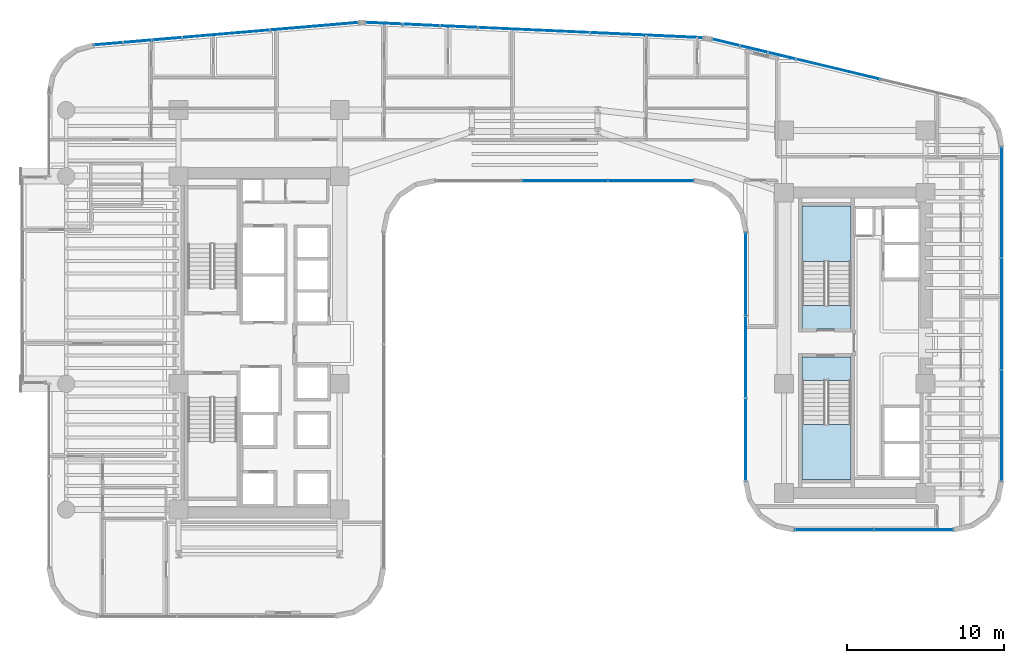
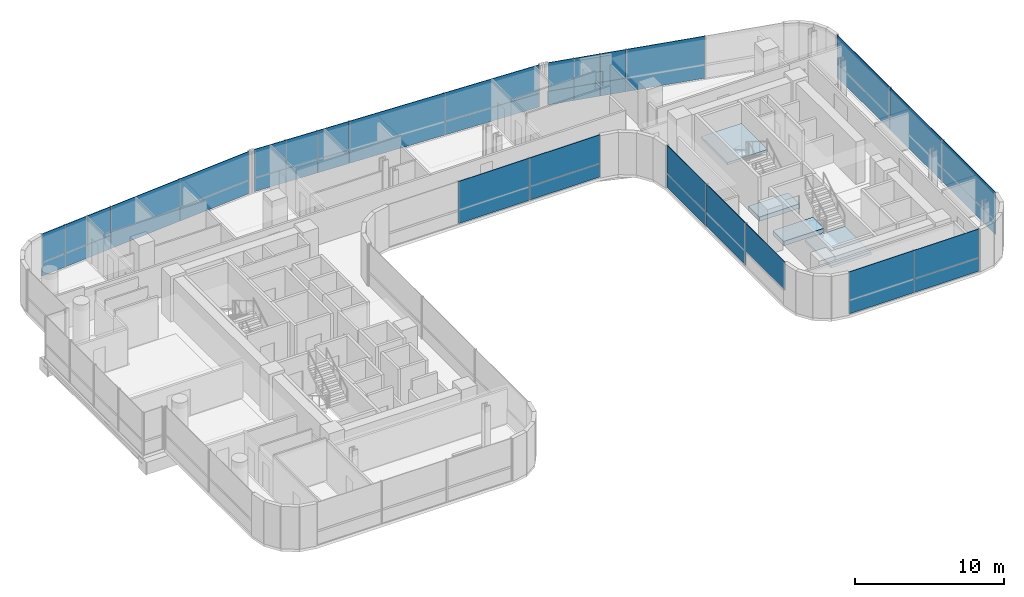
# One storey, part 25 of 35: 40 plates, 4 slabs, 9 elements without a shape of their own.
"""IFC4 building model written with IfcOpenShell, lengths in metres."""

from ifc_helpers import new_model, si_unit, direction, frame, origin, origin_2d, place, context, subcontext, project, spatial, polyline, rectangle, outline, extrude, source, transform, mapped, material, layer, layer_set, type_object, element, aggregate, save


model = new_model("IFC4")

# Units and contexts
model_context = context("Model", 3, precision=1e-05, world=origin(), true_north=direction((0.0, 1.0)))
body_context = subcontext(model_context, "Body", "Model", "MODEL_VIEW")
ifc_project = project(units=[si_unit("LENGTHUNIT", "METRE"), si_unit("AREAUNIT", "SQUARE_METRE"), si_unit("VOLUMEUNIT", "CUBIC_METRE"), si_unit("PLANEANGLEUNIT", "RADIAN"), si_unit("MASSUNIT", "GRAM", prefix="KILO")], contexts=[model_context])

# Site, building, storey
site_placement = place(None, origin())
site = spatial("IfcSite", under=ifc_project, at=site_placement, CompositionType="ELEMENT")
building_placement = place(site_placement, origin())
building = spatial("IfcBuilding", under=site, at=building_placement, Name="Valdorenza Pilgrim Sanctuary Tower", CompositionType="ELEMENT")
storey_placement = place(building_placement, frame((0.0, 0.0, 105.699951171875)))
storey = spatial("IfcBuildingStorey", under=building, at=storey_placement, Name="L26", CompositionType="ELEMENT", Elevation=105.699951171875)

# Stair, slab
ifc_material_1 = material(Name="Concrete C40/50", Category="concrete")
stair_type = type_object("IfcStairType", Name="STR-DOG-CORE", PredefinedType="HALF_TURN_STAIR", material=ifc_material_1)
stair_1_placement = place(storey_placement, origin())
stair_1 = element("IfcStair", 1, at=stair_1_placement, inside=storey, type_object=stair_type, Name="L26 ST-B1", PredefinedType="HALF_TURN_STAIR")
ifc_layer_1 = layer(ifc_material_1, 0.199951171875, Name="Concrete C40/50")
ifc_layer_set_1 = layer_set([ifc_layer_1], Name="Concrete C40/50")
slab_type_1 = type_object("IfcSlabType", Name="SLAB-STL-200", PredefinedType="LANDING", material=ifc_layer_set_1)
slab_1_placement = place(storey_placement, frame((0.0, 0.0, 1.650146484375)))
slab_1 = element("IfcSlab", 2, at=slab_1_placement, type_object=slab_type_1, Name="ST-B1 landing 1", PredefinedType="LANDING", context=body_context, shape_type="SweptSolid", body=[
    extrude(outline(polyline([(20.110107421875, 5.179931640625), (20.110107421875, 8.699951171875), (17.0, 8.699951171875), (17.0, 5.179931640625), (20.110107421875, 5.179931640625)])), origin(), (0.0, 0.0, 1.0), 0.199951171875),
])
aggregate(stair_1, [slab_1])

stair_2_placement = place(storey_placement, origin())
stair_2 = element("IfcStair", 3, at=stair_2_placement, inside=storey, type_object=stair_type, Name="L26 ST-B2", PredefinedType="HALF_TURN_STAIR")
slab_2_placement = place(storey_placement, frame((0.0, 0.0, 1.650146484375)))
slab_2 = element("IfcSlab", 4, at=slab_2_placement, type_object=slab_type_1, Name="ST-B2 landing 1", PredefinedType="LANDING", context=body_context, shape_type="SweptSolid", body=[
    extrude(outline(polyline([(17.0, -5.179931640625), (17.0, -8.699951171875), (20.110107421875, -8.699951171875), (20.110107421875, -5.179931640625), (17.0, -5.179931640625)])), origin(), (0.0, 0.0, 1.0), 0.199951171875),
])
aggregate(stair_2, [slab_2])

# Slabs
ifc_material_2 = material(Name="Concrete C50/60", Category="concrete")
ifc_layer_2 = layer(ifc_material_2, 0.39990234375, Name="Concrete C50/60")
ifc_layer_set_2 = layer_set([ifc_layer_2], Name="Concrete C50/60")
slab_type_2 = type_object("IfcSlabType", Name="SLAB-TRF-400", PredefinedType="FLOOR", material=ifc_layer_set_2)
slab_3_placement = place(storey_placement, frame((0.0, 0.0, -0.35986328125)))
element("IfcSlab", 5, at=slab_3_placement, inside=storey, type_object=slab_type_2, Name="L26 ST-B1 Structural Stair Landing Bearing Slab", PredefinedType="FLOOR", context=body_context, shape_type="SweptSolid", body=[
    extrude(outline(polyline([(17.0, 0.89990234375), (20.110107421875, 0.89990234375), (20.110107421875, 2.385009765625), (17.0, 2.385009765625), (17.0, 0.89990234375)])), origin(), (0.0, 0.0, 1.0), 0.35986328125),
])
slab_4_placement = place(storey_placement, frame((0.0, 0.0, -0.35986328125)))
element("IfcSlab", 6, at=slab_4_placement, inside=storey, type_object=slab_type_2, Name="L26 ST-B2 Structural Stair Landing Bearing Slab", PredefinedType="FLOOR", context=body_context, shape_type="SweptSolid", body=[
    extrude(outline(polyline([(17.0, -2.385009765625), (20.110107421875, -2.385009765625), (20.110107421875, -0.89990234375), (17.0, -0.89990234375), (17.0, -2.385009765625)])), origin(), (0.0, 0.0, 1.0), 0.35986328125),
])

# Curtain wall, plates
ifc_material_3 = material(Name="Curtain-wall IGU glazing", Category="glass")
curtain_wall_type_1 = type_object("IfcCurtainWallType", Name="CW-SYS-02", PredefinedType="NOTDEFINED", material=ifc_material_3)
curtain_wall_1_placement = place(storey_placement, origin())
curtain_wall_1 = element("IfcCurtainWall", 7, at=curtain_wall_1_placement, inside=storey, type_object=curtain_wall_type_1, Name="L26 Curtain Wall CW-L26-1-36", PredefinedType="NOTDEFINED")
ifc_material_4 = material(Name="Honed travertine limestone", Category="masonry")
ifc_layer_3 = layer(ifc_material_4, 0.050048828125, Name="Honed travertine limestone")
ifc_layer_set_3 = layer_set([ifc_layer_3], Name="Honed travertine limestone")
plate_type_1 = type_object("IfcPlateType", Name="CW-SPN-TRV", PredefinedType="USERDEFINED", material=ifc_layer_set_3)
shared_shape_1 = source(origin(), body_context, "Body", "SweptSolid", [
    extrude(rectangle(XDim=5.453857421875, YDim=0.06005859375, at=origin_2d()), origin(), (0.0, 0.0, 1.0), 1.10009765625),
])
plate_1_placement = place(storey_placement, frame((7.373779296875, 10.31005859375, 0.010009765625), z_axis=(0.0, 0.0, 1.0), x_axis=(-1.0, 0.0, 0.0)))
plate_1 = element("IfcPlate", 8, at=plate_1_placement, type_object=plate_type_1, Name="CW-L26-1-36 Travertine Spandrel 1", ObjectType="SPANDREL", PredefinedType="USERDEFINED", context=body_context, shape_type="MappedRepresentation", body=[
    mapped(shared_shape_1, transform((0.0, 0.0, 0.0), x_axis=(1.0, 0.0, 0.0), y_axis=(0.0, 1.0, 0.0), z_axis=(0.0, 0.0, 1.0), scale=1.0)),
])
ifc_material_5 = material(Name="Ceramic-fritted low-E IGU glazing", Category="glass")
ifc_layer_4 = layer(ifc_material_5, 0.035888671875, Name="Ceramic-fritted low-E IGU glazing")
ifc_layer_set_4 = layer_set([ifc_layer_4], Name="Ceramic-fritted low-E IGU glazing")
plate_type_2 = type_object("IfcPlateType", Name="CW-GLZ-IGU", PredefinedType="USERDEFINED", material=ifc_layer_set_4)
shared_shape_2 = source(origin(), body_context, "Body", "SweptSolid", [
    extrude(rectangle(XDim=5.453857421875, YDim=0.050048828125, at=origin_2d()), origin(), (0.0, 0.0, 1.0), 2.320068359375),
])
plate_2_placement = place(storey_placement, frame((7.373779296875, 10.31005859375, 1.1298828125), z_axis=(0.0, 0.0, 1.0), x_axis=(-1.0, 0.0, 0.0)))
plate_2 = element("IfcPlate", 9, at=plate_2_placement, type_object=plate_type_2, Name="CW-L26-1-36 Facade Panel 1", ObjectType="GLAZING", PredefinedType="USERDEFINED", context=body_context, shape_type="MappedRepresentation", body=[
    mapped(shared_shape_2, transform((0.0, 0.0, 0.0), x_axis=(1.0, 0.0, 0.0), y_axis=(0.0, 1.0, 0.0), z_axis=(0.0, 0.0, 1.0), scale=1.0)),
])
shared_shape_3 = source(origin(), body_context, "Body", "SweptSolid", [
    extrude(rectangle(XDim=5.453857421875, YDim=0.050048828125, at=origin_2d()), origin(), (0.0, 0.0, 1.0), 3.43994140625),
])
plate_3_placement = place(storey_placement, frame((1.89990234375, 10.31005859375, 0.010009765625), z_axis=(0.0, 0.0, 1.0), x_axis=(-1.0, 0.0, 0.0)))
plate_3 = element("IfcPlate", 10, at=plate_3_placement, type_object=plate_type_2, Name="CW-L26-1-36 Full-Height Facade Panel 2", ObjectType="GLAZING", PredefinedType="USERDEFINED", context=body_context, shape_type="MappedRepresentation", body=[
    mapped(shared_shape_3, transform((0.0, 0.0, 0.0), x_axis=(1.0, 0.0, 0.0), y_axis=(0.0, 1.0, 0.0), z_axis=(0.0, 0.0, 1.0), scale=1.0)),
])
aggregate(curtain_wall_1, [plate_1, plate_2, plate_3])

# Curtain wall, plate
curtain_wall_2_placement = place(storey_placement, origin())
curtain_wall_2 = element("IfcCurtainWall", 11, at=curtain_wall_2_placement, inside=storey, type_object=curtain_wall_type_1, Name="L26 Curtain Wall CW-L26-1-6", PredefinedType="NOTDEFINED")
shared_shape_4 = source(origin(), body_context, "Body", "SweptSolid", [
    extrude(rectangle(XDim=5.61767578125, YDim=0.06005859375, at=origin_2d()), origin(), (0.0, 0.0, 1.0), 1.10009765625),
])
plate_4_placement = place(storey_placement, frame((-14.008056640625, 20.1337890625, 0.010009765625), z_axis=(0.0, 0.0, 1.0), x_axis=(0.99640764237, 0.084686541006, 0.0)))
plate_4 = element("IfcPlate", 12, at=plate_4_placement, type_object=plate_type_1, Name="CW-L26-1-6 Travertine Spandrel 3", ObjectType="SPANDREL", PredefinedType="USERDEFINED", context=body_context, shape_type="MappedRepresentation", body=[
    mapped(shared_shape_4, transform((0.0, 0.0, 0.0), x_axis=(1.0, 0.0, 0.0), y_axis=(0.0, 1.0, 0.0), z_axis=(0.0, 0.0, 1.0), scale=1.0)),
])

curtain_wall_3_placement = place(storey_placement, origin())
curtain_wall_3 = element("IfcCurtainWall", 13, at=curtain_wall_3_placement, inside=storey, type_object=curtain_wall_type_1, Name="L26 Curtain Wall CW-L26-1-11", PredefinedType="NOTDEFINED")
shared_shape_5 = source(origin(), body_context, "Body", "SweptSolid", [
    extrude(rectangle(XDim=7.1494140625, YDim=0.06005859375, at=origin_2d()), origin(), (0.0, 0.0, 1.0), 1.10009765625),
])
plate_5_placement = place(storey_placement, frame((7.10888671875, 19.56689453125, 0.010009765625), z_axis=(0.0, 0.0, 1.0), x_axis=(0.998968193221, -0.045415294044, 0.0)))
plate_5 = element("IfcPlate", 14, at=plate_5_placement, type_object=plate_type_1, Name="CW-L26-1-11 Travertine Spandrel 3", ObjectType="SPANDREL", PredefinedType="USERDEFINED", context=body_context, shape_type="MappedRepresentation", body=[
    mapped(shared_shape_5, transform((0.0, 0.0, 0.0), x_axis=(1.0, 0.0, 0.0), y_axis=(0.0, 1.0, 0.0), z_axis=(0.0, 0.0, 1.0), scale=1.0)),
])

# Curtain wall, plates
curtain_wall_type_2 = type_object("IfcCurtainWallType", Name="CW-SYS-03", PredefinedType="NOTDEFINED", material=ifc_material_3)
curtain_wall_4_placement = place(storey_placement, origin())
curtain_wall_4 = element("IfcCurtainWall", 15, at=curtain_wall_4_placement, inside=storey, type_object=curtain_wall_type_2, Name="L26 Curtain Wall CW-L26-1-21", PredefinedType="NOTDEFINED")
shared_shape_6 = source(origin(), body_context, "Body", "SweptSolid", [
    extrude(rectangle(XDim=7.065185546875, YDim=0.06005859375, at=origin_2d()), origin(), (0.0, 0.0, 1.0), 1.10009765625),
])
plate_6_placement = place(storey_placement, frame((29.68994140625, 8.923828125, 0.010009765625), z_axis=(0.0, 0.0, 1.0), x_axis=(0.0, -1.0, 0.0)))
plate_6 = element("IfcPlate", 16, at=plate_6_placement, type_object=plate_type_1, Name="CW-L26-1-21 Travertine Spandrel 1", ObjectType="SPANDREL", PredefinedType="USERDEFINED", context=body_context, shape_type="MappedRepresentation", body=[
    mapped(shared_shape_6, transform((0.0, 0.0, 0.0), x_axis=(1.0, 0.0, 0.0), y_axis=(0.0, 1.0, 0.0), z_axis=(0.0, 0.0, 1.0), scale=1.0)),
])
plate_7_placement = place(storey_placement, frame((29.68994140625, -5.24658203125, 0.010009765625), z_axis=(0.0, 0.0, 1.0), x_axis=(0.0, -1.0, 0.0)))
plate_7 = element("IfcPlate", 17, at=plate_7_placement, type_object=plate_type_1, Name="CW-L26-1-21 Travertine Spandrel 3", ObjectType="SPANDREL", PredefinedType="USERDEFINED", context=body_context, shape_type="MappedRepresentation", body=[
    mapped(shared_shape_6, transform((0.0, 0.0, 0.0), x_axis=(1.0, 0.0, 0.0), y_axis=(0.0, 1.0, 0.0), z_axis=(0.0, 0.0, 1.0), scale=1.0)),
])

# Curtain wall, plate
curtain_wall_5_placement = place(storey_placement, origin())
curtain_wall_5 = element("IfcCurtainWall", 18, at=curtain_wall_5_placement, inside=storey, type_object=curtain_wall_type_2, Name="L26 Curtain Wall CW-L26-1-26", PredefinedType="NOTDEFINED")
shared_shape_7 = source(origin(), body_context, "Body", "SweptSolid", [
    extrude(rectangle(XDim=5.019287109375, YDim=0.06005859375, at=origin_2d()), origin(), (0.0, 0.0, 1.0), 1.10009765625),
])
plate_8_placement = place(storey_placement, frame((24.069580078125, -11.889892578125, 0.010009765625), z_axis=(0.0, 0.0, 1.0), x_axis=(-1.0, 0.0, 0.0)))
plate_8 = element("IfcPlate", 19, at=plate_8_placement, type_object=plate_type_1, Name="CW-L26-1-26 Travertine Spandrel 1", ObjectType="SPANDREL", PredefinedType="USERDEFINED", context=body_context, shape_type="MappedRepresentation", body=[
    mapped(shared_shape_7, transform((0.0, 0.0, 0.0), x_axis=(1.0, 0.0, 0.0), y_axis=(0.0, 1.0, 0.0), z_axis=(0.0, 0.0, 1.0), scale=1.0)),
])

curtain_wall_6_placement = place(storey_placement, origin())
curtain_wall_6 = element("IfcCurtainWall", 20, at=curtain_wall_6_placement, inside=storey, type_object=curtain_wall_type_2, Name="L26 Curtain Wall CW-L26-1-31", PredefinedType="NOTDEFINED")
shared_shape_8 = source(origin(), body_context, "Body", "SweptSolid", [
    extrude(rectangle(XDim=5.24658203125, YDim=0.06005859375, at=origin_2d()), origin(), (0.0, 0.0, 1.0), 1.10009765625),
])
plate_9_placement = place(storey_placement, frame((13.409912109375, 4.37744140625, 0.010009765625), z_axis=(0.0, 0.0, 1.0), x_axis=(0.0, 1.0, 0.0)))
plate_9 = element("IfcPlate", 21, at=plate_9_placement, type_object=plate_type_1, Name="CW-L26-1-31 Travertine Spandrel 3", ObjectType="SPANDREL", PredefinedType="USERDEFINED", context=body_context, shape_type="MappedRepresentation", body=[
    mapped(shared_shape_8, transform((0.0, 0.0, 0.0), x_axis=(1.0, 0.0, 0.0), y_axis=(0.0, 1.0, 0.0), z_axis=(0.0, 0.0, 1.0), scale=1.0)),
])

# Plate
shared_shape_9 = source(origin(), body_context, "Body", "SweptSolid", [
    extrude(rectangle(XDim=5.61767578125, YDim=0.050048828125, at=origin_2d()), origin(), (0.0, 0.0, 1.0), 3.43994140625),
])
plate_10_placement = place(storey_placement, frame((-19.62548828125, 19.656494140625, 0.010009765625), z_axis=(0.0, 0.0, 1.0), x_axis=(0.99640764237, 0.084686541006, 0.0)))
plate_10 = element("IfcPlate", 22, at=plate_10_placement, type_object=plate_type_2, Name="CW-L26-1-6 Full-Height Facade Panel 2", ObjectType="GLAZING", PredefinedType="USERDEFINED", context=body_context, shape_type="MappedRepresentation", body=[
    mapped(shared_shape_9, transform((0.0, 0.0, 0.0), x_axis=(1.0, 0.0, 0.0), y_axis=(0.0, 1.0, 0.0), z_axis=(0.0, 0.0, 1.0), scale=1.0)),
])

shared_shape_10 = source(origin(), body_context, "Body", "SweptSolid", [
    extrude(rectangle(XDim=5.61767578125, YDim=0.050048828125, at=origin_2d()), origin(), (0.0, 0.0, 1.0), 2.320068359375),
])
plate_11_placement = place(storey_placement, frame((-14.008056640625, 20.1337890625, 1.1298828125), z_axis=(0.0, 0.0, 1.0), x_axis=(0.99640764237, 0.084686541006, 0.0)))
plate_11 = element("IfcPlate", 23, at=plate_11_placement, type_object=plate_type_2, Name="CW-L26-1-6 Facade Panel 3", ObjectType="GLAZING", PredefinedType="USERDEFINED", context=body_context, shape_type="MappedRepresentation", body=[
    mapped(shared_shape_10, transform((0.0, 0.0, 0.0), x_axis=(1.0, 0.0, 0.0), y_axis=(0.0, 1.0, 0.0), z_axis=(0.0, 0.0, 1.0), scale=1.0)),
])

shared_shape_11 = source(origin(), body_context, "Body", "SweptSolid", [
    extrude(rectangle(XDim=7.1494140625, YDim=0.050048828125, at=origin_2d()), origin(), (0.0, 0.0, 1.0), 3.43994140625),
])
plate_12_placement = place(storey_placement, frame((-0.052978515625, 19.892333984375, 0.010009765625), z_axis=(0.0, 0.0, 1.0), x_axis=(0.998968193221, -0.045415294044, 0.0)))
plate_12 = element("IfcPlate", 24, at=plate_12_placement, type_object=plate_type_2, Name="CW-L26-1-11 Full-Height Facade Panel 2", ObjectType="GLAZING", PredefinedType="USERDEFINED", context=body_context, shape_type="MappedRepresentation", body=[
    mapped(shared_shape_11, transform((0.0, 0.0, 0.0), x_axis=(1.0, 0.0, 0.0), y_axis=(0.0, 1.0, 0.0), z_axis=(0.0, 0.0, 1.0), scale=1.0)),
])

shared_shape_12 = source(origin(), body_context, "Body", "SweptSolid", [
    extrude(rectangle(XDim=7.1494140625, YDim=0.050048828125, at=origin_2d()), origin(), (0.0, 0.0, 1.0), 2.320068359375),
])
plate_13_placement = place(storey_placement, frame((7.10888671875, 19.56689453125, 1.1298828125), z_axis=(0.0, 0.0, 1.0), x_axis=(0.998968193221, -0.045415294044, 0.0)))
plate_13 = element("IfcPlate", 25, at=plate_13_placement, type_object=plate_type_2, Name="CW-L26-1-11 Facade Panel 3", ObjectType="GLAZING", PredefinedType="USERDEFINED", context=body_context, shape_type="MappedRepresentation", body=[
    mapped(shared_shape_12, transform((0.0, 0.0, 0.0), x_axis=(1.0, 0.0, 0.0), y_axis=(0.0, 1.0, 0.0), z_axis=(0.0, 0.0, 1.0), scale=1.0)),
])

# Curtain wall, plate
curtain_wall_7_placement = place(storey_placement, origin())
curtain_wall_7 = element("IfcCurtainWall", 26, at=curtain_wall_7_placement, inside=storey, type_object=curtain_wall_type_2, Name="L26 Curtain Wall CW-L26-1-16", PredefinedType="NOTDEFINED")
shared_shape_13 = source(origin(), body_context, "Body", "SweptSolid", [
    extrude(rectangle(XDim=5.477294921875, YDim=0.050048828125, at=origin_2d()), origin(), (0.0, 0.0, 1.0), 3.43994140625),
])
plate_14_placement = place(storey_placement, frame((19.291015625, 17.40234375, 0.010009765625), z_axis=(0.0, 0.0, 1.0), x_axis=(0.972528596343, -0.232783438617, 0.0)))
plate_14 = element("IfcPlate", 27, at=plate_14_placement, type_object=plate_type_2, Name="CW-L26-1-16 Full-Height Facade Panel 2", ObjectType="GLAZING", PredefinedType="USERDEFINED", context=body_context, shape_type="MappedRepresentation", body=[
    mapped(shared_shape_13, transform((0.0, 0.0, 0.0), x_axis=(1.0, 0.0, 0.0), y_axis=(0.0, 1.0, 0.0), z_axis=(0.0, 0.0, 1.0), scale=1.0)),
])

# Plate
shared_shape_14 = source(origin(), body_context, "Body", "SweptSolid", [
    extrude(rectangle(XDim=7.065185546875, YDim=0.050048828125, at=origin_2d()), origin(), (0.0, 0.0, 1.0), 2.320068359375),
])
plate_15_placement = place(storey_placement, frame((29.68994140625, 8.923828125, 1.1298828125), z_axis=(0.0, 0.0, 1.0), x_axis=(0.0, -1.0, 0.0)))
plate_15 = element("IfcPlate", 28, at=plate_15_placement, type_object=plate_type_2, Name="CW-L26-1-21 Facade Panel 1", ObjectType="GLAZING", PredefinedType="USERDEFINED", context=body_context, shape_type="MappedRepresentation", body=[
    mapped(shared_shape_14, transform((0.0, 0.0, 0.0), x_axis=(1.0, 0.0, 0.0), y_axis=(0.0, 1.0, 0.0), z_axis=(0.0, 0.0, 1.0), scale=1.0)),
])

plate_16_placement = place(storey_placement, frame((29.68994140625, -5.24658203125, 1.1298828125), z_axis=(0.0, 0.0, 1.0), x_axis=(0.0, -1.0, 0.0)))
plate_16 = element("IfcPlate", 29, at=plate_16_placement, type_object=plate_type_2, Name="CW-L26-1-21 Facade Panel 3", ObjectType="GLAZING", PredefinedType="USERDEFINED", context=body_context, shape_type="MappedRepresentation", body=[
    mapped(shared_shape_14, transform((0.0, 0.0, 0.0), x_axis=(1.0, 0.0, 0.0), y_axis=(0.0, 1.0, 0.0), z_axis=(0.0, 0.0, 1.0), scale=1.0)),
])

shared_shape_15 = source(origin(), body_context, "Body", "SweptSolid", [
    extrude(rectangle(XDim=7.065185546875, YDim=0.050048828125, at=origin_2d()), origin(), (0.0, 0.0, 1.0), 3.43994140625),
])
plate_17_placement = place(storey_placement, frame((29.68994140625, 1.838623046875, 0.010009765625), z_axis=(0.0, 0.0, 1.0), x_axis=(0.0, -1.0, 0.0)))
plate_17 = element("IfcPlate", 30, at=plate_17_placement, type_object=plate_type_2, Name="CW-L26-1-21 Full-Height Facade Panel 2", ObjectType="GLAZING", PredefinedType="USERDEFINED", context=body_context, shape_type="MappedRepresentation", body=[
    mapped(shared_shape_15, transform((0.0, 0.0, 0.0), x_axis=(1.0, 0.0, 0.0), y_axis=(0.0, 1.0, 0.0), z_axis=(0.0, 0.0, 1.0), scale=1.0)),
])

aggregate(curtain_wall_4, [plate_6, plate_15, plate_17, plate_7, plate_16])

shared_shape_16 = source(origin(), body_context, "Body", "SweptSolid", [
    extrude(rectangle(XDim=5.019287109375, YDim=0.050048828125, at=origin_2d()), origin(), (0.0, 0.0, 1.0), 2.320068359375),
])
plate_18_placement = place(storey_placement, frame((24.069580078125, -11.889892578125, 1.1298828125), z_axis=(0.0, 0.0, 1.0), x_axis=(-1.0, 0.0, 0.0)))
plate_18 = element("IfcPlate", 31, at=plate_18_placement, type_object=plate_type_2, Name="CW-L26-1-26 Facade Panel 1", ObjectType="GLAZING", PredefinedType="USERDEFINED", context=body_context, shape_type="MappedRepresentation", body=[
    mapped(shared_shape_16, transform((0.0, 0.0, 0.0), x_axis=(1.0, 0.0, 0.0), y_axis=(0.0, 1.0, 0.0), z_axis=(0.0, 0.0, 1.0), scale=1.0)),
])

shared_shape_17 = source(origin(), body_context, "Body", "SweptSolid", [
    extrude(rectangle(XDim=5.019287109375, YDim=0.050048828125, at=origin_2d()), origin(), (0.0, 0.0, 1.0), 3.43994140625),
])
plate_19_placement = place(storey_placement, frame((19.030517578125, -11.889892578125, 0.010009765625), z_axis=(0.0, 0.0, 1.0), x_axis=(-1.0, 0.0, 0.0)))
plate_19 = element("IfcPlate", 32, at=plate_19_placement, type_object=plate_type_2, Name="CW-L26-1-26 Full-Height Facade Panel 2", ObjectType="GLAZING", PredefinedType="USERDEFINED", context=body_context, shape_type="MappedRepresentation", body=[
    mapped(shared_shape_17, transform((0.0, 0.0, 0.0), x_axis=(1.0, 0.0, 0.0), y_axis=(0.0, 1.0, 0.0), z_axis=(0.0, 0.0, 1.0), scale=1.0)),
])

aggregate(curtain_wall_5, [plate_8, plate_18, plate_19])

shared_shape_18 = source(origin(), body_context, "Body", "SweptSolid", [
    extrude(rectangle(XDim=5.24658203125, YDim=0.050048828125, at=origin_2d()), origin(), (0.0, 0.0, 1.0), 2.320068359375),
])
plate_20_placement = place(storey_placement, frame((13.409912109375, -6.156005859375, 1.1298828125), z_axis=(0.0, 0.0, 1.0), x_axis=(0.0, 1.0, 0.0)))
plate_20 = element("IfcPlate", 33, at=plate_20_placement, type_object=plate_type_2, Name="CW-L26-1-31 Facade Panel 1", ObjectType="GLAZING", PredefinedType="USERDEFINED", context=body_context, shape_type="MappedRepresentation", body=[
    mapped(shared_shape_18, transform((0.0, 0.0, 0.0), x_axis=(1.0, 0.0, 0.0), y_axis=(0.0, 1.0, 0.0), z_axis=(0.0, 0.0, 1.0), scale=1.0)),
])

plate_21_placement = place(storey_placement, frame((13.409912109375, 4.37744140625, 1.1298828125), z_axis=(0.0, 0.0, 1.0), x_axis=(0.0, 1.0, 0.0)))
plate_21 = element("IfcPlate", 34, at=plate_21_placement, type_object=plate_type_2, Name="CW-L26-1-31 Facade Panel 3", ObjectType="GLAZING", PredefinedType="USERDEFINED", context=body_context, shape_type="MappedRepresentation", body=[
    mapped(shared_shape_18, transform((0.0, 0.0, 0.0), x_axis=(1.0, 0.0, 0.0), y_axis=(0.0, 1.0, 0.0), z_axis=(0.0, 0.0, 1.0), scale=1.0)),
])

shared_shape_19 = source(origin(), body_context, "Body", "SweptSolid", [
    extrude(rectangle(XDim=5.24658203125, YDim=0.050048828125, at=origin_2d()), origin(), (0.0, 0.0, 1.0), 3.43994140625),
])
plate_22_placement = place(storey_placement, frame((13.409912109375, -0.88916015625, 0.010009765625), z_axis=(0.0, 0.0, 1.0), x_axis=(0.0, 1.0, 0.0)))
plate_22 = element("IfcPlate", 35, at=plate_22_placement, type_object=plate_type_2, Name="CW-L26-1-31 Full-Height Facade Panel 2", ObjectType="GLAZING", PredefinedType="USERDEFINED", context=body_context, shape_type="MappedRepresentation", body=[
    mapped(shared_shape_19, transform((0.0, 0.0, 0.0), x_axis=(1.0, 0.0, 0.0), y_axis=(0.0, 1.0, 0.0), z_axis=(0.0, 0.0, 1.0), scale=1.0)),
])

aggregate(curtain_wall_6, [plate_20, plate_22, plate_9, plate_21])

shared_shape_20 = source(origin(), body_context, "Body", "SweptSolid", [
    extrude(rectangle(XDim=1.8525390625, YDim=0.050048828125, at=origin_2d()), origin(), (0.0, 0.0, 1.0), 2.320068359375),
])
plate_23_placement = place(storey_placement, frame((-27.108642578125, 19.0205078125, 1.1298828125), z_axis=(0.0, 0.0, 1.0), x_axis=(0.99640764237, 0.084686541006, 0.0)))
plate_23 = element("IfcPlate", 36, at=plate_23_placement, type_object=plate_type_2, Name="CW-L26-1-6 Facade Panel 1 Sub 1", ObjectType="GLAZING", PredefinedType="USERDEFINED", context=body_context, shape_type="MappedRepresentation", body=[
    mapped(shared_shape_20, transform((0.0, 0.0, 0.0), x_axis=(1.0, 0.0, 0.0), y_axis=(0.0, 1.0, 0.0), z_axis=(0.0, 0.0, 1.0), scale=1.0)),
])

plate_24_placement = place(storey_placement, frame((-25.242919921875, 19.178955078125, 1.1298828125), z_axis=(0.0, 0.0, 1.0), x_axis=(0.99640764237, 0.084686541006, 0.0)))
plate_24 = element("IfcPlate", 37, at=plate_24_placement, type_object=plate_type_2, Name="CW-L26-1-6 Facade Panel 1 Sub 2", ObjectType="GLAZING", PredefinedType="USERDEFINED", context=body_context, shape_type="MappedRepresentation", body=[
    mapped(shared_shape_20, transform((0.0, 0.0, 0.0), x_axis=(1.0, 0.0, 0.0), y_axis=(0.0, 1.0, 0.0), z_axis=(0.0, 0.0, 1.0), scale=1.0)),
])

plate_25_placement = place(storey_placement, frame((-23.376953125, 19.337646484375, 1.1298828125), z_axis=(0.0, 0.0, 1.0), x_axis=(0.99640764237, 0.084686541006, 0.0)))
plate_25 = element("IfcPlate", 38, at=plate_25_placement, type_object=plate_type_2, Name="CW-L26-1-6 Facade Panel 1 Sub 3", ObjectType="GLAZING", PredefinedType="USERDEFINED", context=body_context, shape_type="MappedRepresentation", body=[
    mapped(shared_shape_20, transform((0.0, 0.0, 0.0), x_axis=(1.0, 0.0, 0.0), y_axis=(0.0, 1.0, 0.0), z_axis=(0.0, 0.0, 1.0), scale=1.0)),
])

shared_shape_21 = source(origin(), body_context, "Body", "SweptSolid", [
    extrude(rectangle(XDim=1.8525390625, YDim=0.06005859375, at=origin_2d()), origin(), (0.0, 0.0, 1.0), 1.10009765625),
])
plate_26_placement = place(storey_placement, frame((-27.108642578125, 19.0205078125, 0.010009765625), z_axis=(0.0, 0.0, 1.0), x_axis=(0.99640764237, 0.084686541006, 0.0)))
plate_26 = element("IfcPlate", 39, at=plate_26_placement, type_object=plate_type_1, Name="CW-L26-1-6 Travertine Spandrel 1 Sub 1", ObjectType="SPANDREL", PredefinedType="USERDEFINED", context=body_context, shape_type="MappedRepresentation", body=[
    mapped(shared_shape_21, transform((0.0, 0.0, 0.0), x_axis=(1.0, 0.0, 0.0), y_axis=(0.0, 1.0, 0.0), z_axis=(0.0, 0.0, 1.0), scale=1.0)),
])

plate_27_placement = place(storey_placement, frame((-25.242919921875, 19.178955078125, 0.010009765625), z_axis=(0.0, 0.0, 1.0), x_axis=(0.99640764237, 0.084686541006, 0.0)))
plate_27 = element("IfcPlate", 40, at=plate_27_placement, type_object=plate_type_1, Name="CW-L26-1-6 Travertine Spandrel 1 Sub 2", ObjectType="SPANDREL", PredefinedType="USERDEFINED", context=body_context, shape_type="MappedRepresentation", body=[
    mapped(shared_shape_21, transform((0.0, 0.0, 0.0), x_axis=(1.0, 0.0, 0.0), y_axis=(0.0, 1.0, 0.0), z_axis=(0.0, 0.0, 1.0), scale=1.0)),
])

plate_28_placement = place(storey_placement, frame((-23.376953125, 19.337646484375, 0.010009765625), z_axis=(0.0, 0.0, 1.0), x_axis=(0.99640764237, 0.084686541006, 0.0)))
plate_28 = element("IfcPlate", 41, at=plate_28_placement, type_object=plate_type_1, Name="CW-L26-1-6 Travertine Spandrel 1 Sub 3", ObjectType="SPANDREL", PredefinedType="USERDEFINED", context=body_context, shape_type="MappedRepresentation", body=[
    mapped(shared_shape_21, transform((0.0, 0.0, 0.0), x_axis=(1.0, 0.0, 0.0), y_axis=(0.0, 1.0, 0.0), z_axis=(0.0, 0.0, 1.0), scale=1.0)),
])

aggregate(curtain_wall_2, [plate_10, plate_4, plate_11, plate_23, plate_26, plate_24, plate_27, plate_25, plate_28])

shared_shape_22 = source(origin(), body_context, "Body", "SweptSolid", [
    extrude(rectangle(XDim=2.363037109375, YDim=0.050048828125, at=origin_2d()), origin(), (0.0, 0.0, 1.0), 2.320068359375),
])
plate_29_placement = place(storey_placement, frame((-9.595458984375, 20.325927734375, 1.1298828125), z_axis=(0.0, 0.0, 1.0), x_axis=(0.998968193221, -0.045415294044, 0.0)))
plate_29 = element("IfcPlate", 42, at=plate_29_placement, type_object=plate_type_2, Name="CW-L26-1-11 Facade Panel 1 Sub 1", ObjectType="GLAZING", PredefinedType="USERDEFINED", context=body_context, shape_type="MappedRepresentation", body=[
    mapped(shared_shape_22, transform((0.0, 0.0, 0.0), x_axis=(1.0, 0.0, 0.0), y_axis=(0.0, 1.0, 0.0), z_axis=(0.0, 0.0, 1.0), scale=1.0)),
])

plate_30_placement = place(storey_placement, frame((-7.21484375, 20.2177734375, 1.1298828125), z_axis=(0.0, 0.0, 1.0), x_axis=(0.998968193221, -0.045415294044, 0.0)))
plate_30 = element("IfcPlate", 43, at=plate_30_placement, type_object=plate_type_2, Name="CW-L26-1-11 Facade Panel 1 Sub 2", ObjectType="GLAZING", PredefinedType="USERDEFINED", context=body_context, shape_type="MappedRepresentation", body=[
    mapped(shared_shape_22, transform((0.0, 0.0, 0.0), x_axis=(1.0, 0.0, 0.0), y_axis=(0.0, 1.0, 0.0), z_axis=(0.0, 0.0, 1.0), scale=1.0)),
])

plate_31_placement = place(storey_placement, frame((-4.834228515625, 20.109619140625, 1.1298828125), z_axis=(0.0, 0.0, 1.0), x_axis=(0.998968193221, -0.045415294044, 0.0)))
plate_31 = element("IfcPlate", 44, at=plate_31_placement, type_object=plate_type_2, Name="CW-L26-1-11 Facade Panel 1 Sub 3", ObjectType="GLAZING", PredefinedType="USERDEFINED", context=body_context, shape_type="MappedRepresentation", body=[
    mapped(shared_shape_22, transform((0.0, 0.0, 0.0), x_axis=(1.0, 0.0, 0.0), y_axis=(0.0, 1.0, 0.0), z_axis=(0.0, 0.0, 1.0), scale=1.0)),
])

shared_shape_23 = source(origin(), body_context, "Body", "SweptSolid", [
    extrude(rectangle(XDim=2.363037109375, YDim=0.06005859375, at=origin_2d()), origin(), (0.0, 0.0, 1.0), 1.10009765625),
])
plate_32_placement = place(storey_placement, frame((-9.595458984375, 20.325927734375, 0.010009765625), z_axis=(0.0, 0.0, 1.0), x_axis=(0.998968193221, -0.045415294044, 0.0)))
plate_32 = element("IfcPlate", 45, at=plate_32_placement, type_object=plate_type_1, Name="CW-L26-1-11 Travertine Spandrel 1 Sub 1", ObjectType="SPANDREL", PredefinedType="USERDEFINED", context=body_context, shape_type="MappedRepresentation", body=[
    mapped(shared_shape_23, transform((0.0, 0.0, 0.0), x_axis=(1.0, 0.0, 0.0), y_axis=(0.0, 1.0, 0.0), z_axis=(0.0, 0.0, 1.0), scale=1.0)),
])

plate_33_placement = place(storey_placement, frame((-7.21484375, 20.2177734375, 0.010009765625), z_axis=(0.0, 0.0, 1.0), x_axis=(0.998968193221, -0.045415294044, 0.0)))
plate_33 = element("IfcPlate", 46, at=plate_33_placement, type_object=plate_type_1, Name="CW-L26-1-11 Travertine Spandrel 1 Sub 2", ObjectType="SPANDREL", PredefinedType="USERDEFINED", context=body_context, shape_type="MappedRepresentation", body=[
    mapped(shared_shape_23, transform((0.0, 0.0, 0.0), x_axis=(1.0, 0.0, 0.0), y_axis=(0.0, 1.0, 0.0), z_axis=(0.0, 0.0, 1.0), scale=1.0)),
])

plate_34_placement = place(storey_placement, frame((-4.834228515625, 20.109619140625, 0.010009765625), z_axis=(0.0, 0.0, 1.0), x_axis=(0.998968193221, -0.045415294044, 0.0)))
plate_34 = element("IfcPlate", 47, at=plate_34_placement, type_object=plate_type_1, Name="CW-L26-1-11 Travertine Spandrel 1 Sub 3", ObjectType="SPANDREL", PredefinedType="USERDEFINED", context=body_context, shape_type="MappedRepresentation", body=[
    mapped(shared_shape_23, transform((0.0, 0.0, 0.0), x_axis=(1.0, 0.0, 0.0), y_axis=(0.0, 1.0, 0.0), z_axis=(0.0, 0.0, 1.0), scale=1.0)),
])

aggregate(curtain_wall_3, [plate_12, plate_5, plate_13, plate_29, plate_32, plate_30, plate_33, plate_31, plate_34])

shared_shape_24 = source(origin(), body_context, "Body", "SweptSolid", [
    extrude(rectangle(XDim=1.805908203125, YDim=0.050048828125, at=origin_2d()), origin(), (0.0, 0.0, 1.0), 2.320068359375),
])
plate_35_placement = place(storey_placement, frame((12.1689453125, 19.107177734375, 1.1298828125), z_axis=(0.0, 0.0, 1.0), x_axis=(0.972528596343, -0.232783438617, 0.0)))
plate_35 = element("IfcPlate", 48, at=plate_35_placement, type_object=plate_type_2, Name="CW-L26-1-16 Facade Panel 1 Sub 1", ObjectType="GLAZING", PredefinedType="USERDEFINED", context=body_context, shape_type="MappedRepresentation", body=[
    mapped(shared_shape_24, transform((0.0, 0.0, 0.0), x_axis=(1.0, 0.0, 0.0), y_axis=(0.0, 1.0, 0.0), z_axis=(0.0, 0.0, 1.0), scale=1.0)),
])

plate_36_placement = place(storey_placement, frame((13.944580078125, 18.68212890625, 1.1298828125), z_axis=(0.0, 0.0, 1.0), x_axis=(0.972528596343, -0.232783438617, 0.0)))
plate_36 = element("IfcPlate", 49, at=plate_36_placement, type_object=plate_type_2, Name="CW-L26-1-16 Facade Panel 1 Sub 2", ObjectType="GLAZING", PredefinedType="USERDEFINED", context=body_context, shape_type="MappedRepresentation", body=[
    mapped(shared_shape_24, transform((0.0, 0.0, 0.0), x_axis=(1.0, 0.0, 0.0), y_axis=(0.0, 1.0, 0.0), z_axis=(0.0, 0.0, 1.0), scale=1.0)),
])

plate_37_placement = place(storey_placement, frame((15.72021484375, 18.257080078125, 1.1298828125), z_axis=(0.0, 0.0, 1.0), x_axis=(0.972528596343, -0.232783438617, 0.0)))
plate_37 = element("IfcPlate", 50, at=plate_37_placement, type_object=plate_type_2, Name="CW-L26-1-16 Facade Panel 1 Sub 3", ObjectType="GLAZING", PredefinedType="USERDEFINED", context=body_context, shape_type="MappedRepresentation", body=[
    mapped(shared_shape_24, transform((0.0, 0.0, 0.0), x_axis=(1.0, 0.0, 0.0), y_axis=(0.0, 1.0, 0.0), z_axis=(0.0, 0.0, 1.0), scale=1.0)),
])

shared_shape_25 = source(origin(), body_context, "Body", "SweptSolid", [
    extrude(rectangle(XDim=1.805908203125, YDim=0.06005859375, at=origin_2d()), origin(), (0.0, 0.0, 1.0), 1.10009765625),
])
plate_38_placement = place(storey_placement, frame((12.1689453125, 19.107177734375, 0.010009765625), z_axis=(0.0, 0.0, 1.0), x_axis=(0.972528596343, -0.232783438617, 0.0)))
plate_38 = element("IfcPlate", 51, at=plate_38_placement, type_object=plate_type_1, Name="CW-L26-1-16 Travertine Spandrel 1 Sub 1", ObjectType="SPANDREL", PredefinedType="USERDEFINED", context=body_context, shape_type="MappedRepresentation", body=[
    mapped(shared_shape_25, transform((0.0, 0.0, 0.0), x_axis=(1.0, 0.0, 0.0), y_axis=(0.0, 1.0, 0.0), z_axis=(0.0, 0.0, 1.0), scale=1.0)),
])

plate_39_placement = place(storey_placement, frame((13.944580078125, 18.68212890625, 0.010009765625), z_axis=(0.0, 0.0, 1.0), x_axis=(0.972528596343, -0.232783438617, 0.0)))
plate_39 = element("IfcPlate", 52, at=plate_39_placement, type_object=plate_type_1, Name="CW-L26-1-16 Travertine Spandrel 1 Sub 2", ObjectType="SPANDREL", PredefinedType="USERDEFINED", context=body_context, shape_type="MappedRepresentation", body=[
    mapped(shared_shape_25, transform((0.0, 0.0, 0.0), x_axis=(1.0, 0.0, 0.0), y_axis=(0.0, 1.0, 0.0), z_axis=(0.0, 0.0, 1.0), scale=1.0)),
])

plate_40_placement = place(storey_placement, frame((15.72021484375, 18.257080078125, 0.010009765625), z_axis=(0.0, 0.0, 1.0), x_axis=(0.972528596343, -0.232783438617, 0.0)))
plate_40 = element("IfcPlate", 53, at=plate_40_placement, type_object=plate_type_1, Name="CW-L26-1-16 Travertine Spandrel 1 Sub 3", ObjectType="SPANDREL", PredefinedType="USERDEFINED", context=body_context, shape_type="MappedRepresentation", body=[
    mapped(shared_shape_25, transform((0.0, 0.0, 0.0), x_axis=(1.0, 0.0, 0.0), y_axis=(0.0, 1.0, 0.0), z_axis=(0.0, 0.0, 1.0), scale=1.0)),
])

aggregate(curtain_wall_7, [plate_14, plate_35, plate_38, plate_36, plate_39, plate_37, plate_40])

save(model, "model.ifc")
